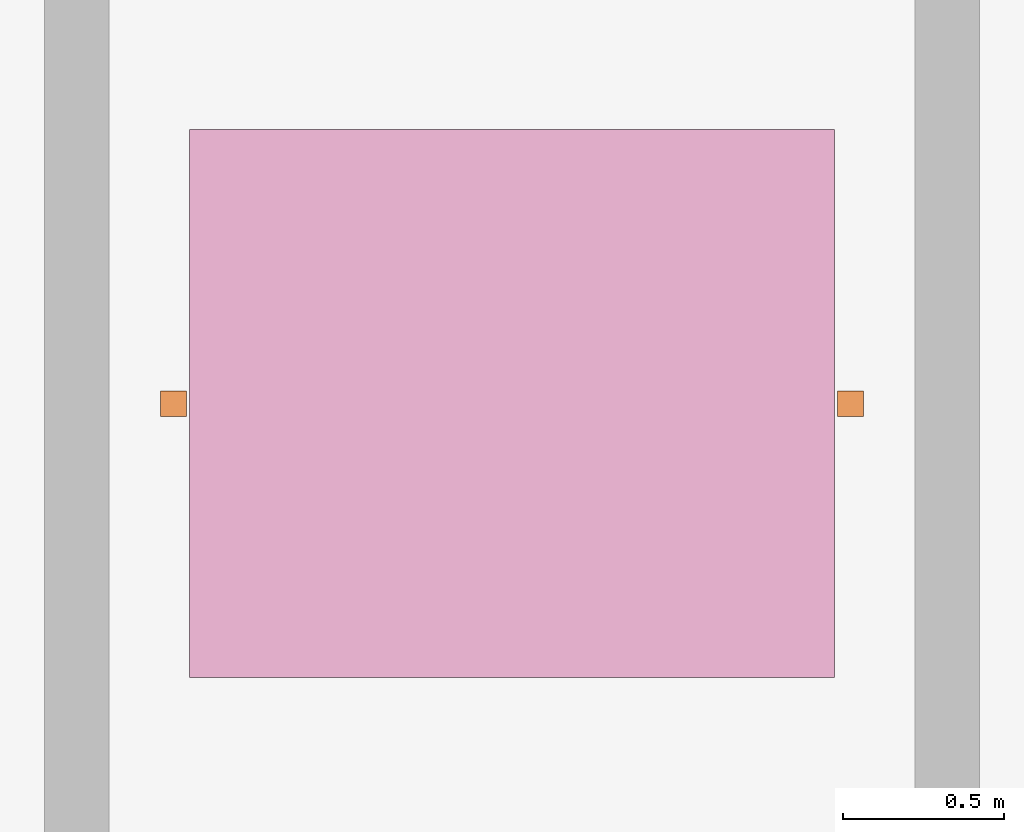
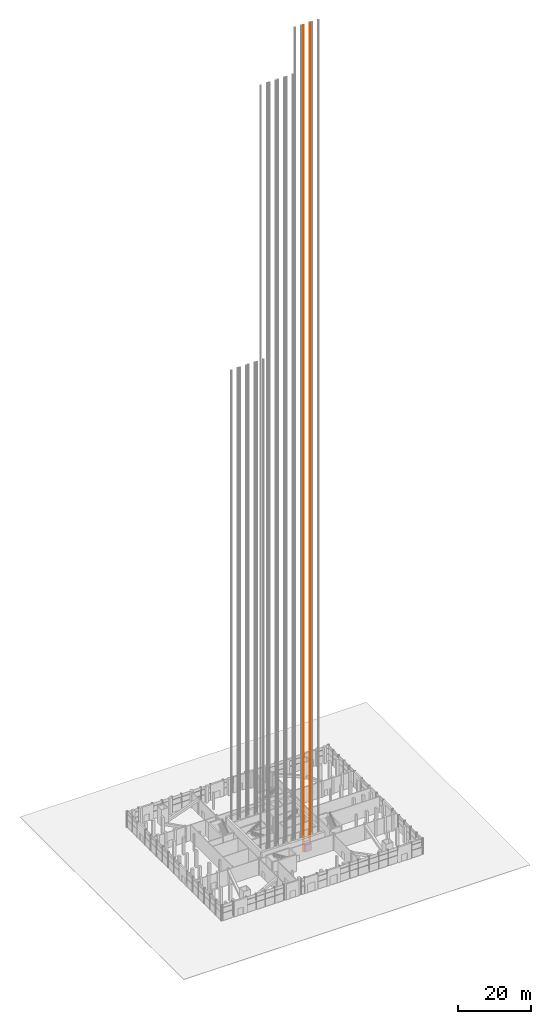
# One storey, part 22 of 27: 2 proxies, 1 transport element.
"""IFC4 building model written with IfcOpenShell, lengths in metres."""

from ifc_helpers import new_model, si_unit, direction, frame, origin, origin_2d, place, context, subcontext, project, spatial, rectangle, extrude, material, type_object, element, aggregate, save


model = new_model("IFC4")

# Units and contexts
model_context = context("Model", 3, precision=1e-05, world=origin(), true_north=direction((0.0, 1.0)))
body_context = subcontext(model_context, "Body", "Model", "MODEL_VIEW")
ifc_project = project(units=[si_unit("LENGTHUNIT", "METRE"), si_unit("AREAUNIT", "SQUARE_METRE"), si_unit("VOLUMEUNIT", "CUBIC_METRE"), si_unit("PLANEANGLEUNIT", "RADIAN"), si_unit("MASSUNIT", "GRAM", prefix="KILO")], contexts=[model_context])

# Site, building, storey
site_placement = place(None, origin())
site = spatial("IfcSite", under=ifc_project, at=site_placement, CompositionType="ELEMENT")
building_placement = place(site_placement, origin())
building = spatial("IfcBuilding", under=site, at=building_placement, Name="Turquesa Mirador Hotel Tower", CompositionType="ELEMENT")
storey_placement = place(building_placement, origin())
storey = spatial("IfcBuildingStorey", under=building, at=storey_placement, Name="L00", CompositionType="ELEMENT", Elevation=0.0)

# Transport element, proxies
ifc_material_1 = material(Name="Stainless steel lift car", Category="steel")
transport_element_type = type_object("IfcTransportElementType", Name="PASSENGER LIFT 1600 KG", PredefinedType="ELEVATOR", material=ifc_material_1)
transport_element_placement = place(storey_placement, frame((60.35009765625, 36.949951171875, 0.0), z_axis=(0.0, 0.0, 1.0), x_axis=(1.0, 0.0, 0.0)))
transport_element = element("IfcTransportElement", 1, at=transport_element_placement, inside=storey, type_object=transport_element_type, Name="Lift X2", PredefinedType="ELEVATOR", context=body_context, shape_type="SweptSolid", body=[
    extrude(rectangle(XDim=2.0, YDim=1.699951171875, at=origin_2d()), origin(), (0.0, 0.0, 1.0), 2.39990234375),
])
ifc_material_2 = material(Name="Steel ASTM A992 Grade 50", Category="steel")
building_element_proxy_type = type_object("IfcBuildingElementProxyType", Name="LIFT GUIDE RAIL 80X80", PredefinedType="USERDEFINED", material=ifc_material_2)
proxy_1_placement = place(storey_placement, frame((59.300048828125, 36.949951171875, 0.0), z_axis=(0.0, 0.0, 1.0), x_axis=(1.0, 0.0, 0.0)))
proxy_1 = element("IfcBuildingElementProxy", 2, at=proxy_1_placement, type_object=building_element_proxy_type, Name="Lift X2 guide rail 1", ObjectType="LIFT GUIDE RAIL", PredefinedType="USERDEFINED", context=body_context, shape_type="SweptSolid", body=[
    extrude(rectangle(XDim=0.080078125, YDim=0.080078125, at=origin_2d()), origin(), (0.0, 0.0, 1.0), 277.10009765625),
])
proxy_2_placement = place(storey_placement, frame((61.39990234375, 36.949951171875, 0.0), z_axis=(0.0, 0.0, 1.0), x_axis=(1.0, 0.0, 0.0)))
proxy_2 = element("IfcBuildingElementProxy", 3, at=proxy_2_placement, type_object=building_element_proxy_type, Name="Lift X2 guide rail 2", ObjectType="LIFT GUIDE RAIL", PredefinedType="USERDEFINED", context=body_context, shape_type="SweptSolid", body=[
    extrude(rectangle(XDim=0.080078125, YDim=0.080078125, at=origin_2d()), origin(), (0.0, 0.0, 1.0), 277.10009765625),
])
aggregate(transport_element, [proxy_1, proxy_2])

save(model, "model.ifc")
